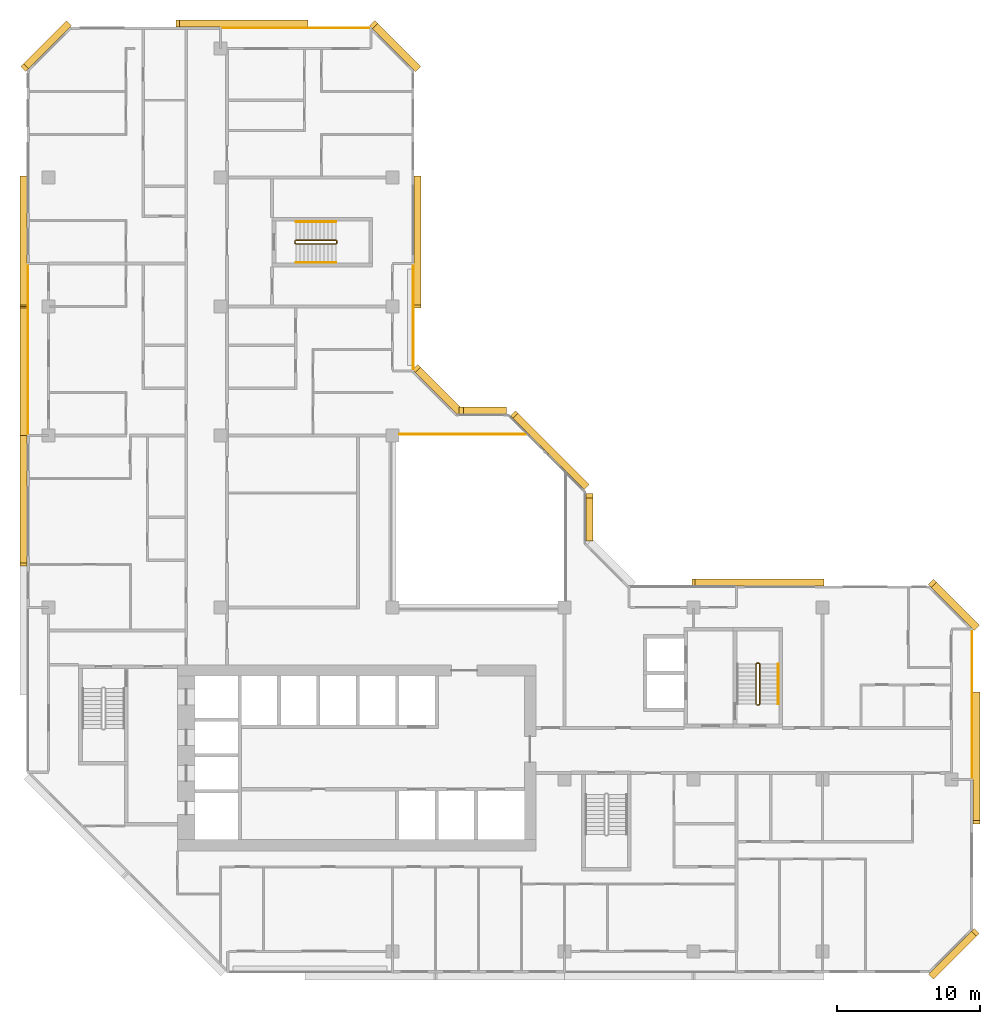
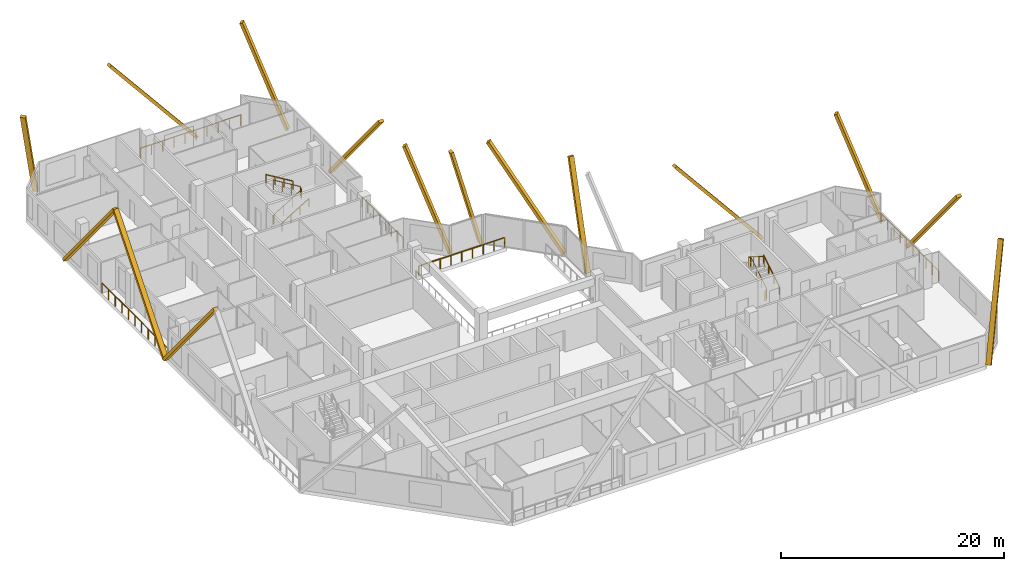
# One storey, part 15 of 15: 15 coverings, 10 railings.
"""IFC4 building model written with IfcOpenShell, lengths in metres."""

from ifc_helpers import new_model, si_unit, direction, frame, origin, origin_2d, place, context, subcontext, project, spatial, rectangle, extrude, material, material_profile, profile_set, type_object, element, save


model = new_model("IFC4")

# Units and contexts
model_context = context("Model", 3, precision=1e-05, world=origin(), true_north=direction((0.0, 1.0)))
body_context = subcontext(model_context, "Body", "Model", "MODEL_VIEW")
ifc_project = project(units=[si_unit("LENGTHUNIT", "METRE"), si_unit("AREAUNIT", "SQUARE_METRE"), si_unit("VOLUMEUNIT", "CUBIC_METRE"), si_unit("PLANEANGLEUNIT", "RADIAN"), si_unit("MASSUNIT", "GRAM", prefix="KILO")], contexts=[model_context])

# Site, building, storey
site_placement = place(None, origin())
site = spatial("IfcSite", under=ifc_project, at=site_placement, CompositionType="ELEMENT")
building_placement = place(site_placement, origin())
building = spatial("IfcBuilding", under=site, at=building_placement, Name="Chenar Terraces", CompositionType="ELEMENT")
storey_placement = place(building_placement, frame((0.0, 0.0, 194.89990234375)))
storey = spatial("IfcBuildingStorey", under=building, at=storey_placement, Name="L45", CompositionType="ELEMENT", Elevation=194.89990234375)

# Railings
ifc_material_1 = material(Name="Powder-coated steel", Category="steel")
railing_type_1 = type_object("IfcRailingType", Name="Guard 1100 steel rail with glass infill", PredefinedType="GUARDRAIL", material=ifc_material_1)
railing_1_placement = place(storey_placement, frame((24.5, 36.10009765625, 0.0)))
element("IfcRailing", 1, at=railing_1_placement, inside=storey, type_object=railing_type_1, Name="Guard L45-2", PredefinedType="GUARDRAIL", context=body_context, shape_type="SweptSolid", body=[
    extrude(rectangle(XDim=0.06005859375, YDim=0.06005859375, at=origin_2d()), frame((0.0, 0.0, 1.070068359375), z_axis=(1.0, 0.0, 0.0), x_axis=(0.0, 1.0, 0.0)), (0.0, 0.0, 1.0), 8.89990234375),
    extrude(rectangle(XDim=0.050048828125, YDim=0.050048828125, at=origin_2d()), origin(), (0.0, 0.0, 1.0), 1.0400390625),
    extrude(rectangle(XDim=0.050048828125, YDim=0.050048828125, at=origin_2d()), frame((1.112548828125, 0.0, 0.0)), (0.0, 0.0, 1.0), 1.0400390625),
    extrude(rectangle(XDim=0.050048828125, YDim=0.050048828125, at=origin_2d()), frame((2.22509765625, 0.0, 0.0)), (0.0, 0.0, 1.0), 1.0400390625),
    extrude(rectangle(XDim=0.050048828125, YDim=0.050048828125, at=origin_2d()), frame((3.33740234375, 0.0, 0.0)), (0.0, 0.0, 1.0), 1.0400390625),
    extrude(rectangle(XDim=0.050048828125, YDim=0.050048828125, at=origin_2d()), frame((4.449951171875, 0.0, 0.0)), (0.0, 0.0, 1.0), 1.0400390625),
    extrude(rectangle(XDim=0.050048828125, YDim=0.050048828125, at=origin_2d()), frame((5.5625, 0.0, 0.0)), (0.0, 0.0, 1.0), 1.0400390625),
    extrude(rectangle(XDim=0.050048828125, YDim=0.050048828125, at=origin_2d()), frame((6.6748046875, 0.0, 0.0)), (0.0, 0.0, 1.0), 1.0400390625),
    extrude(rectangle(XDim=0.050048828125, YDim=0.050048828125, at=origin_2d()), frame((7.787353515625, 0.0, 0.0)), (0.0, 0.0, 1.0), 1.0400390625),
    extrude(rectangle(XDim=0.050048828125, YDim=0.050048828125, at=origin_2d()), frame((8.89990234375, 0.0, 0.0)), (0.0, 0.0, 1.0), 1.0400390625),
])
ifc_material_2 = material(Name="Stainless steel and glass", Category="steel")
railing_type_2 = type_object("IfcRailingType", Name="Loggia guard 1150", PredefinedType="GUARDRAIL", material=ifc_material_2)
railing_2_placement = place(storey_placement, frame((25.449951171875, 40.574951171875, 0.0)))
element("IfcRailing", 2, at=railing_2_placement, inside=storey, type_object=railing_type_2, Name="Loggia guard", PredefinedType="GUARDRAIL", context=body_context, shape_type="SweptSolid", body=[
    extrude(rectangle(XDim=0.048095703125, YDim=0.048095703125, at=origin_2d()), frame((0.0, 0.0, 1.1259765625), z_axis=(0.0, 1.0, 0.0), x_axis=(-1.0, 0.0, 0.0)), (0.0, 0.0, 1.0), 7.35009765625),
    extrude(rectangle(XDim=0.0419921875, YDim=0.0419921875, at=origin_2d()), origin(), (0.0, 0.0, 1.0), 1.101806640625),
    extrude(rectangle(XDim=0.0419921875, YDim=0.0419921875, at=origin_2d()), frame((0.0, 1.050048828125, 0.0)), (0.0, 0.0, 1.0), 1.101806640625),
    extrude(rectangle(XDim=0.0419921875, YDim=0.0419921875, at=origin_2d()), frame((0.0, 2.10009765625, 0.0)), (0.0, 0.0, 1.0), 1.101806640625),
    extrude(rectangle(XDim=0.0419921875, YDim=0.0419921875, at=origin_2d()), frame((0.0, 3.150146484375, 0.0)), (0.0, 0.0, 1.0), 1.101806640625),
    extrude(rectangle(XDim=0.0419921875, YDim=0.0419921875, at=origin_2d()), frame((0.0, 4.199951171875, 0.0)), (0.0, 0.0, 1.0), 1.101806640625),
    extrude(rectangle(XDim=0.0419921875, YDim=0.0419921875, at=origin_2d()), frame((0.0, 5.25, 0.0)), (0.0, 0.0, 1.0), 1.101806640625),
    extrude(rectangle(XDim=0.0419921875, YDim=0.0419921875, at=origin_2d()), frame((0.0, 6.300048828125, 0.0)), (0.0, 0.0, 1.0), 1.101806640625),
    extrude(rectangle(XDim=0.0419921875, YDim=0.0419921875, at=origin_2d()), frame((0.0, 7.35009765625, 0.0)), (0.0, 0.0, 1.0), 1.101806640625),
])
railing_3_placement = place(storey_placement, frame((64.449951171875, 12.074951171875, 0.0)))
element("IfcRailing", 3, at=railing_3_placement, inside=storey, type_object=railing_type_2, Name="Loggia guard", PredefinedType="GUARDRAIL", context=body_context, shape_type="SweptSolid", body=[
    extrude(rectangle(XDim=0.048095703125, YDim=0.048095703125, at=origin_2d()), frame((0.0, 0.0, 1.1259765625), z_axis=(0.0, 1.0, 0.0), x_axis=(-1.0, 0.0, 0.0)), (0.0, 0.0, 1.0), 10.35009765625),
    extrude(rectangle(XDim=0.0419921875, YDim=0.0419921875, at=origin_2d()), origin(), (0.0, 0.0, 1.0), 1.101806640625),
    extrude(rectangle(XDim=0.0419921875, YDim=0.0419921875, at=origin_2d()), frame((0.0, 1.14990234375, 0.0)), (0.0, 0.0, 1.0), 1.101806640625),
    extrude(rectangle(XDim=0.0419921875, YDim=0.0419921875, at=origin_2d()), frame((0.0, 2.300048828125, 0.0)), (0.0, 0.0, 1.0), 1.101806640625),
    extrude(rectangle(XDim=0.0419921875, YDim=0.0419921875, at=origin_2d()), frame((0.0, 3.449951171875, 0.0)), (0.0, 0.0, 1.0), 1.101806640625),
    extrude(rectangle(XDim=0.0419921875, YDim=0.0419921875, at=origin_2d()), frame((0.0, 4.60009765625, 0.0)), (0.0, 0.0, 1.0), 1.101806640625),
    extrude(rectangle(XDim=0.0419921875, YDim=0.0419921875, at=origin_2d()), frame((0.0, 5.75, 0.0)), (0.0, 0.0, 1.0), 1.101806640625),
    extrude(rectangle(XDim=0.0419921875, YDim=0.0419921875, at=origin_2d()), frame((0.0, 6.900146484375, 0.0)), (0.0, 0.0, 1.0), 1.101806640625),
    extrude(rectangle(XDim=0.0419921875, YDim=0.0419921875, at=origin_2d()), frame((0.0, 8.050048828125, 0.0)), (0.0, 0.0, 1.0), 1.101806640625),
    extrude(rectangle(XDim=0.0419921875, YDim=0.0419921875, at=origin_2d()), frame((0.0, 9.2001953125, 0.0)), (0.0, 0.0, 1.0), 1.101806640625),
    extrude(rectangle(XDim=0.0419921875, YDim=0.0419921875, at=origin_2d()), frame((0.0, 10.35009765625, 0.0)), (0.0, 0.0, 1.0), 1.101806640625),
])
railing_4_placement = place(storey_placement, frame((22.425048828125, 64.449951171875, 0.0)))
element("IfcRailing", 4, at=railing_4_placement, inside=storey, type_object=railing_type_2, Name="Loggia guard", PredefinedType="GUARDRAIL", context=body_context, shape_type="SweptSolid", body=[
    extrude(rectangle(XDim=0.048095703125, YDim=0.048095703125, at=origin_2d()), frame((0.0, 0.0, 1.1259765625), z_axis=(-1.0, 0.0, 0.0), x_axis=(0.0, -1.0, 0.0)), (0.0, 0.0, 1.0), 10.35009765625),
    extrude(rectangle(XDim=0.0419921875, YDim=0.0419921875, at=origin_2d()), origin(), (0.0, 0.0, 1.0), 1.101806640625),
    extrude(rectangle(XDim=0.0419921875, YDim=0.0419921875, at=origin_2d()), frame((-1.14990234375, 0.0, 0.0)), (0.0, 0.0, 1.0), 1.101806640625),
    extrude(rectangle(XDim=0.0419921875, YDim=0.0419921875, at=origin_2d()), frame((-2.300048828125, 0.0, 0.0)), (0.0, 0.0, 1.0), 1.101806640625),
    extrude(rectangle(XDim=0.0419921875, YDim=0.0419921875, at=origin_2d()), frame((-3.449951171875, 0.0, 0.0)), (0.0, 0.0, 1.0), 1.101806640625),
    extrude(rectangle(XDim=0.0419921875, YDim=0.0419921875, at=origin_2d()), frame((-4.60009765625, 0.0, 0.0)), (0.0, 0.0, 1.0), 1.101806640625),
    extrude(rectangle(XDim=0.0419921875, YDim=0.0419921875, at=origin_2d()), frame((-5.75, 0.0, 0.0)), (0.0, 0.0, 1.0), 1.101806640625),
    extrude(rectangle(XDim=0.0419921875, YDim=0.0419921875, at=origin_2d()), frame((-6.900146484375, 0.0, 0.0)), (0.0, 0.0, 1.0), 1.101806640625),
    extrude(rectangle(XDim=0.0419921875, YDim=0.0419921875, at=origin_2d()), frame((-8.050048828125, 0.0, 0.0)), (0.0, 0.0, 1.0), 1.101806640625),
    extrude(rectangle(XDim=0.0419921875, YDim=0.0419921875, at=origin_2d()), frame((-9.2001953125, 0.0, 0.0)), (0.0, 0.0, 1.0), 1.101806640625),
    extrude(rectangle(XDim=0.0419921875, YDim=0.0419921875, at=origin_2d()), frame((-10.35009765625, 0.0, 0.0)), (0.0, 0.0, 1.0), 1.101806640625),
])
railing_5_placement = place(storey_placement, frame((-1.449951171875, 47.925048828125, 0.0)))
element("IfcRailing", 5, at=railing_5_placement, inside=storey, type_object=railing_type_2, Name="Loggia guard", PredefinedType="GUARDRAIL", context=body_context, shape_type="SweptSolid", body=[
    extrude(rectangle(XDim=0.048095703125, YDim=0.048095703125, at=origin_2d()), frame((0.0, 0.0, 1.1259765625), z_axis=(0.0, -1.0, 0.0), x_axis=(1.0, 0.0, 0.0)), (0.0, 0.0, 1.0), 11.85009765625),
    extrude(rectangle(XDim=0.0419921875, YDim=0.0419921875, at=origin_2d()), origin(), (0.0, 0.0, 1.0), 1.101806640625),
    extrude(rectangle(XDim=0.0419921875, YDim=0.0419921875, at=origin_2d()), frame((0.0, -1.18505859375, 0.0)), (0.0, 0.0, 1.0), 1.101806640625),
    extrude(rectangle(XDim=0.0419921875, YDim=0.0419921875, at=origin_2d()), frame((0.0, -2.3701171875, 0.0)), (0.0, 0.0, 1.0), 1.101806640625),
    extrude(rectangle(XDim=0.0419921875, YDim=0.0419921875, at=origin_2d()), frame((0.0, -3.554931640625, 0.0)), (0.0, 0.0, 1.0), 1.101806640625),
    extrude(rectangle(XDim=0.0419921875, YDim=0.0419921875, at=origin_2d()), frame((0.0, -4.739990234375, 0.0)), (0.0, 0.0, 1.0), 1.101806640625),
    extrude(rectangle(XDim=0.0419921875, YDim=0.0419921875, at=origin_2d()), frame((0.0, -5.925048828125, 0.0)), (0.0, 0.0, 1.0), 1.101806640625),
    extrude(rectangle(XDim=0.0419921875, YDim=0.0419921875, at=origin_2d()), frame((0.0, -7.110107421875, 0.0)), (0.0, 0.0, 1.0), 1.101806640625),
    extrude(rectangle(XDim=0.0419921875, YDim=0.0419921875, at=origin_2d()), frame((0.0, -8.295166015625, 0.0)), (0.0, 0.0, 1.0), 1.101806640625),
    extrude(rectangle(XDim=0.0419921875, YDim=0.0419921875, at=origin_2d()), frame((0.0, -9.47998046875, 0.0)), (0.0, 0.0, 1.0), 1.101806640625),
    extrude(rectangle(XDim=0.0419921875, YDim=0.0419921875, at=origin_2d()), frame((0.0, -10.6650390625, 0.0)), (0.0, 0.0, 1.0), 1.101806640625),
    extrude(rectangle(XDim=0.0419921875, YDim=0.0419921875, at=origin_2d()), frame((0.0, -11.85009765625, 0.0)), (0.0, 0.0, 1.0), 1.101806640625),
])
ifc_material_3 = material(Name="Powder-coated steel", Category="steel")
railing_type_3 = type_object("IfcRailingType", Name="Stair guard 1100", PredefinedType="GUARDRAIL", material=ifc_material_3)
railing_6_placement = place(storey_placement, frame((49.375, 17.25, 3.75)))
element("IfcRailing", 6, at=railing_6_placement, inside=storey, type_object=railing_type_3, Name="L45 ST3 stair guard 1", PredefinedType="GUARDRAIL", context=body_context, shape_type="SweptSolid", body=[
    extrude(rectangle(XDim=0.048095703125, YDim=0.048095703125, at=origin_2d()), frame((0.0, 0.0, 1.076171875), z_axis=(0.0, 0.854202870247, -0.519939858505), x_axis=(-1.0, 0.0, 0.0)), (0.0, 0.0, 1.0), 3.278076171875),
    extrude(rectangle(XDim=0.048095703125, YDim=0.048095703125, at=origin_2d()), frame((0.0, 2.800048828125, -0.62841796875), z_axis=(0.270899902878, 0.270899902878, -0.923702595667), x_axis=(-0.707106781187, 0.707106781187, 0.0)), (0.0, 0.0, 1.0), 0.184814453125),
    extrude(rectangle(XDim=0.048095703125, YDim=0.048095703125, at=origin_2d()), frame((0.050048828125, 2.85009765625, -0.798828125), z_axis=(1.0, 0.0, 0.0), x_axis=(0.0, 1.0, 0.0)), (0.0, 0.0, 1.0), 0.14990234375),
    extrude(rectangle(XDim=0.048095703125, YDim=0.048095703125, at=origin_2d()), frame((0.199951171875, 2.85009765625, -0.798828125), z_axis=(0.707106781187, -0.707106781187, 0.0), x_axis=(0.707106781187, 0.707106781187, 0.0)), (0.0, 0.0, 1.0), 0.07080078125),
    extrude(rectangle(XDim=0.048095703125, YDim=0.048095703125, at=origin_2d()), frame((0.25, 2.800048828125, -0.798828125), z_axis=(0.0, -0.854202870247, -0.519939858505), x_axis=(1.0, 0.0, 0.0)), (0.0, 0.0, 1.0), 3.278076171875),
    extrude(rectangle(XDim=0.048095703125, YDim=0.048095703125, at=origin_2d()), frame((0.25, 0.0, -2.50341796875), z_axis=(-0.270899902878, -0.270899902878, -0.923702595667), x_axis=(0.707106781187, -0.707106781187, 0.0)), (0.0, 0.0, 1.0), 0.184814453125),
    extrude(rectangle(XDim=0.048095703125, YDim=0.048095703125, at=origin_2d()), frame((0.199951171875, -0.050048828125, -2.673828125), z_axis=(-1.0, 0.0, 0.0), x_axis=(0.0, -1.0, 0.0)), (0.0, 0.0, 1.0), 0.14990234375),
    extrude(rectangle(XDim=0.0419921875, YDim=0.0419921875, at=origin_2d()), origin(), (0.0, 0.0, 1.0), 1.052001953125),
    extrude(rectangle(XDim=0.0419921875, YDim=0.0419921875, at=origin_2d()), frame((0.0, 0.933349609375, -0.568115234375)), (0.0, 0.0, 1.0), 1.052001953125),
    extrude(rectangle(XDim=0.0419921875, YDim=0.0419921875, at=origin_2d()), frame((0.0, 1.86669921875, -1.13623046875)), (0.0, 0.0, 1.0), 1.052001953125),
    extrude(rectangle(XDim=0.0419921875, YDim=0.0419921875, at=origin_2d()), frame((0.0, 2.800048828125, -1.704345703125)), (0.0, 0.0, 1.0), 1.052001953125),
    extrude(rectangle(XDim=0.0419921875, YDim=0.0419921875, at=origin_2d()), frame((0.050048828125, 2.85009765625, -1.875)), (0.0, 0.0, 1.0), 1.052001953125),
    extrude(rectangle(XDim=0.0419921875, YDim=0.0419921875, at=origin_2d()), frame((0.199951171875, 2.85009765625, -1.875)), (0.0, 0.0, 1.0), 1.052001953125),
    extrude(rectangle(XDim=0.0419921875, YDim=0.0419921875, at=origin_2d()), frame((0.25, 2.800048828125, -1.875)), (0.0, 0.0, 1.0), 1.052001953125),
    extrude(rectangle(XDim=0.0419921875, YDim=0.0419921875, at=origin_2d()), frame((0.25, 1.86669921875, -2.443115234375)), (0.0, 0.0, 1.0), 1.052001953125),
    extrude(rectangle(XDim=0.0419921875, YDim=0.0419921875, at=origin_2d()), frame((0.25, 0.933349609375, -3.01123046875)), (0.0, 0.0, 1.0), 1.052001953125),
    extrude(rectangle(XDim=0.0419921875, YDim=0.0419921875, at=origin_2d()), frame((0.25, 0.0, -3.579345703125)), (0.0, 0.0, 1.0), 1.052001953125),
    extrude(rectangle(XDim=0.0419921875, YDim=0.0419921875, at=origin_2d()), frame((0.199951171875, -0.050048828125, -3.75)), (0.0, 0.0, 1.0), 1.052001953125),
    extrude(rectangle(XDim=0.0419921875, YDim=0.0419921875, at=origin_2d()), frame((0.050048828125, -0.050048828125, -3.75)), (0.0, 0.0, 1.0), 1.052001953125),
])
railing_7_placement = place(storey_placement, frame((17.25, 49.625, 3.75)))
element("IfcRailing", 7, at=railing_7_placement, inside=storey, type_object=railing_type_3, Name="L45 ST4 stair guard 1", PredefinedType="GUARDRAIL", context=body_context, shape_type="SweptSolid", body=[
    extrude(rectangle(XDim=0.048095703125, YDim=0.048095703125, at=origin_2d()), frame((0.0, 0.0, 1.076171875), z_axis=(0.854202870247, 0.0, -0.519939858505), x_axis=(0.0, 1.0, 0.0)), (0.0, 0.0, 1.0), 3.278076171875),
    extrude(rectangle(XDim=0.048095703125, YDim=0.048095703125, at=origin_2d()), frame((2.800048828125, 0.0, -0.62841796875), z_axis=(0.270899902878, -0.270899902878, -0.923702595667), x_axis=(0.707106781187, 0.707106781187, 0.0)), (0.0, 0.0, 1.0), 0.184814453125),
    extrude(rectangle(XDim=0.048095703125, YDim=0.048095703125, at=origin_2d()), frame((2.85009765625, -0.050048828125, -0.798828125), z_axis=(0.0, -1.0, 0.0), x_axis=(1.0, 0.0, 0.0)), (0.0, 0.0, 1.0), 0.14990234375),
    extrude(rectangle(XDim=0.048095703125, YDim=0.048095703125, at=origin_2d()), frame((2.85009765625, -0.199951171875, -0.798828125), z_axis=(-0.707106781187, -0.707106781187, 0.0), x_axis=(0.707106781187, -0.707106781187, 0.0)), (0.0, 0.0, 1.0), 0.07080078125),
    extrude(rectangle(XDim=0.048095703125, YDim=0.048095703125, at=origin_2d()), frame((2.800048828125, -0.25, -0.798828125), z_axis=(-0.854202870247, 0.0, -0.519939858505), x_axis=(0.0, -1.0, 0.0)), (0.0, 0.0, 1.0), 3.278076171875),
    extrude(rectangle(XDim=0.048095703125, YDim=0.048095703125, at=origin_2d()), frame((0.0, -0.25, -2.50341796875), z_axis=(-0.270899902878, 0.270899902878, -0.923702595667), x_axis=(-0.707106781187, -0.707106781187, 0.0)), (0.0, 0.0, 1.0), 0.184814453125),
    extrude(rectangle(XDim=0.048095703125, YDim=0.048095703125, at=origin_2d()), frame((-0.050048828125, -0.199951171875, -2.673828125), z_axis=(0.0, 1.0, 0.0), x_axis=(-1.0, 0.0, 0.0)), (0.0, 0.0, 1.0), 0.14990234375),
    extrude(rectangle(XDim=0.0419921875, YDim=0.0419921875, at=origin_2d()), origin(), (0.0, 0.0, 1.0), 1.052001953125),
    extrude(rectangle(XDim=0.0419921875, YDim=0.0419921875, at=origin_2d()), frame((0.933349609375, 0.0, -0.568115234375)), (0.0, 0.0, 1.0), 1.052001953125),
    extrude(rectangle(XDim=0.0419921875, YDim=0.0419921875, at=origin_2d()), frame((1.86669921875, 0.0, -1.13623046875)), (0.0, 0.0, 1.0), 1.052001953125),
    extrude(rectangle(XDim=0.0419921875, YDim=0.0419921875, at=origin_2d()), frame((2.800048828125, 0.0, -1.704345703125)), (0.0, 0.0, 1.0), 1.052001953125),
    extrude(rectangle(XDim=0.0419921875, YDim=0.0419921875, at=origin_2d()), frame((2.85009765625, -0.050048828125, -1.875)), (0.0, 0.0, 1.0), 1.052001953125),
    extrude(rectangle(XDim=0.0419921875, YDim=0.0419921875, at=origin_2d()), frame((2.85009765625, -0.199951171875, -1.875)), (0.0, 0.0, 1.0), 1.052001953125),
    extrude(rectangle(XDim=0.0419921875, YDim=0.0419921875, at=origin_2d()), frame((2.800048828125, -0.25, -1.875)), (0.0, 0.0, 1.0), 1.052001953125),
    extrude(rectangle(XDim=0.0419921875, YDim=0.0419921875, at=origin_2d()), frame((1.86669921875, -0.25, -2.443115234375)), (0.0, 0.0, 1.0), 1.052001953125),
    extrude(rectangle(XDim=0.0419921875, YDim=0.0419921875, at=origin_2d()), frame((0.933349609375, -0.25, -3.01123046875)), (0.0, 0.0, 1.0), 1.052001953125),
    extrude(rectangle(XDim=0.0419921875, YDim=0.0419921875, at=origin_2d()), frame((0.0, -0.25, -3.579345703125)), (0.0, 0.0, 1.0), 1.052001953125),
    extrude(rectangle(XDim=0.0419921875, YDim=0.0419921875, at=origin_2d()), frame((-0.050048828125, -0.199951171875, -3.75)), (0.0, 0.0, 1.0), 1.052001953125),
    extrude(rectangle(XDim=0.0419921875, YDim=0.0419921875, at=origin_2d()), frame((-0.050048828125, -0.050048828125, -3.75)), (0.0, 0.0, 1.0), 1.052001953125),
])
ifc_material_4 = material(Name="Powder-coated steel", Category="steel")
railing_type_4 = type_object("IfcRailingType", Name="Stair handrail 900", PredefinedType="HANDRAIL", material=ifc_material_4)
railing_8_placement = place(storey_placement, frame((50.925048828125, 17.25, 0.170654296875)))
element("IfcRailing", 8, at=railing_8_placement, inside=storey, type_object=railing_type_4, Name="L45 ST3 stair handrail 1", PredefinedType="HANDRAIL", context=body_context, shape_type="SweptSolid", body=[
    extrude(rectangle(XDim=0.048095703125, YDim=0.048095703125, at=origin_2d()), frame((0.0, 0.0, 0.8759765625), z_axis=(0.0, 0.854202870247, 0.519939858505), x_axis=(-1.0, 0.0, 0.0)), (0.0, 0.0, 1.0), 3.278076171875),
    extrude(rectangle(XDim=0.0419921875, YDim=0.0419921875, at=origin_2d()), origin(), (0.0, 0.0, 1.0), 0.851806640625),
    extrude(rectangle(XDim=0.0419921875, YDim=0.0419921875, at=origin_2d()), frame((0.0, 0.933349609375, 0.568115234375)), (0.0, 0.0, 1.0), 0.851806640625),
    extrude(rectangle(XDim=0.0419921875, YDim=0.0419921875, at=origin_2d()), frame((0.0, 1.86669921875, 1.13623046875)), (0.0, 0.0, 1.0), 0.851806640625),
    extrude(rectangle(XDim=0.0419921875, YDim=0.0419921875, at=origin_2d()), frame((0.0, 2.800048828125, 1.704345703125)), (0.0, 0.0, 1.0), 0.851806640625),
])
railing_9_placement = place(storey_placement, frame((17.25, 48.074951171875, 0.170654296875)))
element("IfcRailing", 9, at=railing_9_placement, inside=storey, type_object=railing_type_4, Name="L45 ST4 stair handrail 1", PredefinedType="HANDRAIL", context=body_context, shape_type="SweptSolid", body=[
    extrude(rectangle(XDim=0.048095703125, YDim=0.048095703125, at=origin_2d()), frame((0.0, 0.0, 0.8759765625), z_axis=(0.854202870247, 0.0, 0.519939858505), x_axis=(0.0, 1.0, 0.0)), (0.0, 0.0, 1.0), 3.278076171875),
    extrude(rectangle(XDim=0.0419921875, YDim=0.0419921875, at=origin_2d()), origin(), (0.0, 0.0, 1.0), 0.851806640625),
    extrude(rectangle(XDim=0.0419921875, YDim=0.0419921875, at=origin_2d()), frame((0.933349609375, 0.0, 0.568115234375)), (0.0, 0.0, 1.0), 0.851806640625),
    extrude(rectangle(XDim=0.0419921875, YDim=0.0419921875, at=origin_2d()), frame((1.86669921875, 0.0, 1.13623046875)), (0.0, 0.0, 1.0), 0.851806640625),
    extrude(rectangle(XDim=0.0419921875, YDim=0.0419921875, at=origin_2d()), frame((2.800048828125, 0.0, 1.704345703125)), (0.0, 0.0, 1.0), 0.851806640625),
])
railing_10_placement = place(storey_placement, frame((20.050048828125, 50.925048828125, 2.045654296875)))
element("IfcRailing", 10, at=railing_10_placement, inside=storey, type_object=railing_type_4, Name="L45 ST4 stair handrail 2", PredefinedType="HANDRAIL", context=body_context, shape_type="SweptSolid", body=[
    extrude(rectangle(XDim=0.048095703125, YDim=0.048095703125, at=origin_2d()), frame((0.0, 0.0, 0.8759765625), z_axis=(-0.854202870247, 0.0, 0.519939858505), x_axis=(0.0, -1.0, 0.0)), (0.0, 0.0, 1.0), 3.278076171875),
    extrude(rectangle(XDim=0.0419921875, YDim=0.0419921875, at=origin_2d()), origin(), (0.0, 0.0, 1.0), 0.851806640625),
    extrude(rectangle(XDim=0.0419921875, YDim=0.0419921875, at=origin_2d()), frame((-0.933349609375, 0.0, 0.568115234375)), (0.0, 0.0, 1.0), 0.851806640625),
    extrude(rectangle(XDim=0.0419921875, YDim=0.0419921875, at=origin_2d()), frame((-1.86669921875, 0.0, 1.13623046875)), (0.0, 0.0, 1.0), 0.851806640625),
    extrude(rectangle(XDim=0.0419921875, YDim=0.0419921875, at=origin_2d()), frame((-2.800048828125, 0.0, 1.704345703125)), (0.0, 0.0, 1.0), 0.851806640625),
])

# Coverings
ifc_material_5 = material(Name="Terracotta", Category="masonry")
ifc_material_profile = material_profile(ifc_material_5, rectangle(XDim=0.5, YDim=0.300048828125, at=origin_2d()), Name="Terracotta baguette 500 x 300")
ifc_profile_set = profile_set([ifc_material_profile], Name="Terracotta")
covering_type = type_object("IfcCoveringType", Name="Terracotta baguette 500 x 300", PredefinedType="CLADDING", material=ifc_profile_set)
covering_1_placement = place(storey_placement, frame((54.0, 25.75, 0.150146484375), z_axis=(-0.634966765532, 0.0, 0.772539453148), x_axis=(0.0, -1.0, 0.0)))
element("IfcCovering", 11, at=covering_1_placement, inside=storey, type_object=covering_type, Name="Terracotta baguette", PredefinedType="CLADDING", context=body_context, shape_type="SweptSolid", body=[
    extrude(rectangle(XDim=0.5, YDim=0.300048828125, at=origin_2d()), origin(), (0.0, 0.0, 1.0), 14.174072265625),
])
covering_2_placement = place(storey_placement, frame((37.75, 28.800048828125, 0.150146484375), z_axis=(0.0, 0.26423624309, 0.964457986559), x_axis=(-1.0, 0.0, 0.0)))
element("IfcCovering", 12, at=covering_2_placement, inside=storey, type_object=covering_type, Name="Terracotta baguette", PredefinedType="CLADDING", context=body_context, shape_type="SweptSolid", body=[
    extrude(rectangle(XDim=0.5, YDim=0.300048828125, at=origin_2d()), origin(), (0.0, 0.0, 1.0), 11.353515625),
])
covering_3_placement = place(storey_placement, frame((37.464599609375, 32.489013671875, 0.150146484375), z_axis=(-0.38228507333, 0.382266316395, 0.841267250081), x_axis=(-0.707089433343, -0.707124128605, 0.0)))
element("IfcCovering", 13, at=covering_3_placement, inside=storey, type_object=covering_type, Name="Terracotta baguette", PredefinedType="CLADDING", context=body_context, shape_type="SweptSolid", body=[
    extrude(rectangle(XDim=0.5, YDim=0.300048828125, at=origin_2d()), origin(), (0.0, 0.0, 1.0), 13.01611328125),
])
covering_4_placement = place(storey_placement, frame((31.800048828125, 37.75, 0.150146484375), z_axis=(-0.26423624309, 0.0, 0.964457986559), x_axis=(0.0, -1.0, 0.0)))
element("IfcCovering", 14, at=covering_4_placement, inside=storey, type_object=covering_type, Name="Terracotta baguette", PredefinedType="CLADDING", context=body_context, shape_type="SweptSolid", body=[
    extrude(rectangle(XDim=0.5, YDim=0.300048828125, at=origin_2d()), origin(), (0.0, 0.0, 1.0), 11.353515625),
])
covering_5_placement = place(storey_placement, frame((28.6767578125, 37.6767578125, 0.150146484375), z_axis=(-0.255468212233, 0.255468212233, 0.932454816641), x_axis=(-0.707106781187, -0.707106781187, 0.0)))
element("IfcCovering", 15, at=covering_5_placement, inside=storey, type_object=covering_type, Name="Terracotta baguette", PredefinedType="CLADDING", context=body_context, shape_type="SweptSolid", body=[
    extrude(rectangle(XDim=0.5, YDim=0.300048828125, at=origin_2d()), origin(), (0.0, 0.0, 1.0), 11.7431640625),
])
covering_6_placement = place(storey_placement, frame((25.75, 45.0, 11.10009765625), z_axis=(0.0, 0.634966765532, -0.772539453148), x_axis=(-1.0, 0.0, 0.0)))
element("IfcCovering", 16, at=covering_6_placement, inside=storey, type_object=covering_type, Name="Terracotta baguette", PredefinedType="CLADDING", context=body_context, shape_type="SweptSolid", body=[
    extrude(rectangle(XDim=0.5, YDim=0.300048828125, at=origin_2d()), origin(), (0.0, 0.0, 1.0), 14.174072265625),
])
covering_7_placement = place(storey_placement, frame((25.6767578125, 61.6767578125, 0.150146484375), z_axis=(-0.255468212233, 0.255468212233, 0.932454816641), x_axis=(-0.707106781187, -0.707106781187, 0.0)))
element("IfcCovering", 17, at=covering_7_placement, inside=storey, type_object=covering_type, Name="Terracotta baguette", PredefinedType="CLADDING", context=body_context, shape_type="SweptSolid", body=[
    extrude(rectangle(XDim=0.5, YDim=0.300048828125, at=origin_2d()), origin(), (0.0, 0.0, 1.0), 11.7431640625),
])
covering_8_placement = place(storey_placement, frame((18.0, 64.75, 0.150146484375), z_axis=(-0.634966765532, 0.0, 0.772539453148), x_axis=(0.0, -1.0, 0.0)))
element("IfcCovering", 18, at=covering_8_placement, inside=storey, type_object=covering_type, Name="Terracotta baguette", PredefinedType="CLADDING", context=body_context, shape_type="SweptSolid", body=[
    extrude(rectangle(XDim=0.5, YDim=0.300048828125, at=origin_2d()), origin(), (0.0, 0.0, 1.0), 14.174072265625),
])
covering_9_placement = place(storey_placement, frame((1.3232421875, 64.6767578125, 0.150146484375), z_axis=(-0.255468212233, -0.255468212233, 0.932454816641), x_axis=(0.707106781187, -0.707106781187, 0.0)))
element("IfcCovering", 19, at=covering_9_placement, inside=storey, type_object=covering_type, Name="Terracotta baguette", PredefinedType="CLADDING", context=body_context, shape_type="SweptSolid", body=[
    extrude(rectangle(XDim=0.5, YDim=0.300048828125, at=origin_2d()), origin(), (0.0, 0.0, 1.0), 11.7431640625),
])
for number, where, z_axis, x_axis, name in (
    (20, (-1.75, 54.0, 0.150146484375), (0.0, -0.634966765532, 0.772539453148), (1.0, 0.0, 0.0), "Terracotta baguette"),
    (21, (-1.75, 45.0, 11.10009765625), (0.0, -0.634966765532, -0.772539453148), (1.0, 0.0, 0.0), "Terracotta baguette"),
    (22, (-1.75, 36.0, 0.150146484375), (0.0, -0.634966765532, 0.772539453148), (1.0, 0.0, 0.0), "Terracotta baguette"),
):
    element("IfcCovering", number, at=place(storey_placement, frame(where, z_axis=z_axis, x_axis=x_axis)), inside=storey, type_object=covering_type, Name=name, PredefinedType="CLADDING", context=body_context, shape_type="SweptSolid", body=[
        extrude(rectangle(XDim=0.5, YDim=0.300048828125, at=origin_2d()), origin(), (0.0, 0.0, 1.0), 14.174072265625),
    ])
covering_10_placement = place(storey_placement, frame((61.6767578125, -1.6767578125, 0.150146484375), z_axis=(0.255468212233, 0.255468212233, 0.932454816641), x_axis=(-0.707106781187, 0.707106781187, 0.0)))
element("IfcCovering", 23, at=covering_10_placement, inside=storey, type_object=covering_type, Name="Terracotta baguette", PredefinedType="CLADDING", context=body_context, shape_type="SweptSolid", body=[
    extrude(rectangle(XDim=0.5, YDim=0.300048828125, at=origin_2d()), origin(), (0.0, 0.0, 1.0), 11.7431640625),
])
covering_11_placement = place(storey_placement, frame((64.75, 9.0, 11.10009765625), z_axis=(0.0, 0.634966765532, -0.772539453148), x_axis=(-1.0, 0.0, 0.0)))
element("IfcCovering", 24, at=covering_11_placement, inside=storey, type_object=covering_type, Name="Terracotta baguette", PredefinedType="CLADDING", context=body_context, shape_type="SweptSolid", body=[
    extrude(rectangle(XDim=0.5, YDim=0.300048828125, at=origin_2d()), origin(), (0.0, 0.0, 1.0), 14.174072265625),
])
covering_12_placement = place(storey_placement, frame((64.6767578125, 22.6767578125, 0.150146484375), z_axis=(-0.255468212233, 0.255468212233, 0.932454816641), x_axis=(-0.707106781187, -0.707106781187, 0.0)))
element("IfcCovering", 25, at=covering_12_placement, inside=storey, type_object=covering_type, Name="Terracotta baguette", PredefinedType="CLADDING", context=body_context, shape_type="SweptSolid", body=[
    extrude(rectangle(XDim=0.5, YDim=0.300048828125, at=origin_2d()), origin(), (0.0, 0.0, 1.0), 11.7431640625),
])

save(model, "model.ifc")
